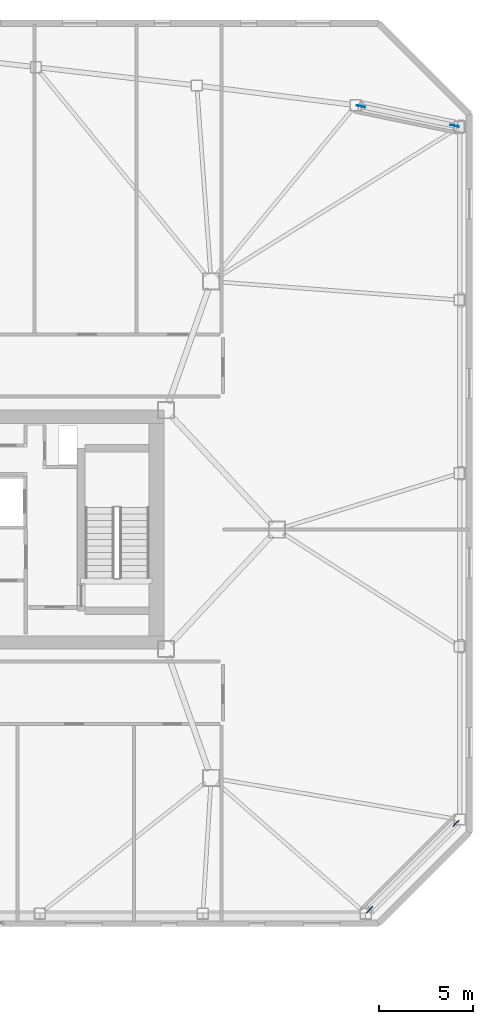
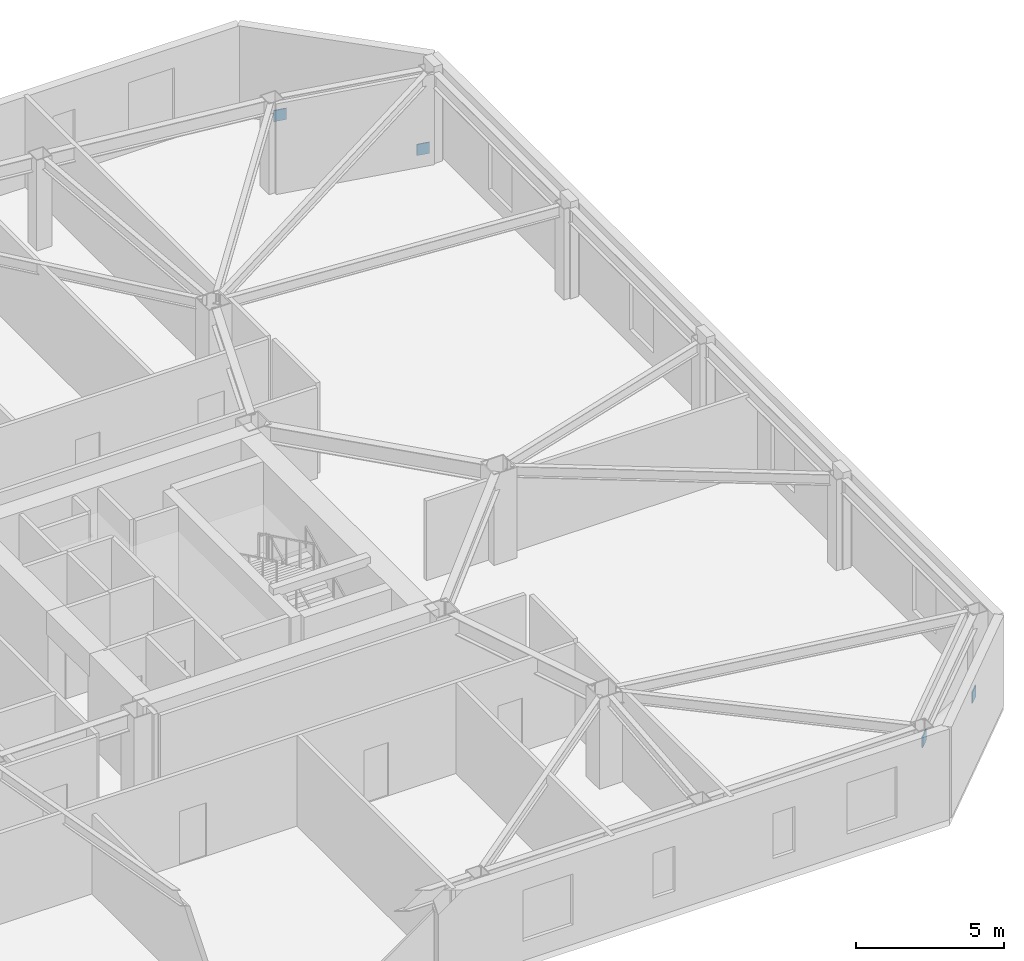
# One storey, part 18 of 19: 4 discrete accessories.
"""IFC4 building model written with IfcOpenShell, lengths in metres."""

from ifc_helpers import new_model, si_unit, direction, frame, origin, origin_2d, place, context, subcontext, project, spatial, rectangle, extrude, material, type_object, element, save


model = new_model("IFC4")

# Units and contexts
model_context = context("Model", 3, precision=1e-05, world=origin(), true_north=direction((0.0, 1.0)))
body_context = subcontext(model_context, "Body", "Model", "MODEL_VIEW")
ifc_project = project(units=[si_unit("LENGTHUNIT", "METRE"), si_unit("AREAUNIT", "SQUARE_METRE"), si_unit("VOLUMEUNIT", "CUBIC_METRE"), si_unit("PLANEANGLEUNIT", "RADIAN"), si_unit("MASSUNIT", "GRAM", prefix="KILO")], contexts=[model_context])

# Site, building, storey
site_placement = place(None, origin())
site = spatial("IfcSite", under=ifc_project, at=site_placement, CompositionType="ELEMENT")
building_placement = place(site_placement, origin())
building = spatial("IfcBuilding", under=site, at=building_placement, Name="Tavrogorsk Clinical Tower", CompositionType="ELEMENT")
storey_placement = place(building_placement, frame((0.0, 0.0, 156.199951171875)))
storey = spatial("IfcBuildingStorey", under=building, at=storey_placement, Name="L35", CompositionType="ELEMENT", Elevation=156.199951171875)

# Discrete accessories
ifc_material = material(Name="Structural steel S440", Category="steel")
discrete_accessory_type = type_object("IfcDiscreteAccessoryType", Name="GussetPlateBracket_25", PredefinedType="BRACKET", material=ifc_material)
for number, where, z_axis, x_axis, name in (
    (1, (37.517333984375, -15.62255859375, 0.18310546875), (0.0, 0.0, 1.0), (-0.707106781187, -0.707106781187, 0.0), "L35 Brace Gusset Plate EXOCRN-L35-1-A"),
    (2, (32.922607421875, -20.217529296875, 2.7470703125), (0.0, 0.0, 1.0), (-0.707106781187, -0.707106781187, 0.0), "L35 Brace Gusset Plate EXOCRN-L35-1-B"),
    (3, (37.44970703125, 21.47607421875, 0.20654296875), (0.0, 0.0, 1.0), (-0.979187402648, 0.202958198889, 0.0), "L35 Brace Gusset Plate EXOCRN-L35-2-A"),
    (4, (32.461669921875, 22.509765625, 2.7236328125), (0.0, 0.0, 1.0), (-0.979187402648, 0.202958198889, 0.0), "L35 Brace Gusset Plate EXOCRN-L35-2-B"),
):
    element("IfcDiscreteAccessory", number, at=place(storey_placement, frame(where, z_axis=z_axis, x_axis=x_axis)), inside=storey, type_object=discrete_accessory_type, Name=name, PredefinedType="BRACKET", context=body_context, shape_type="SweptSolid", body=[
        extrude(rectangle(XDim=0.4599609375, YDim=0.0400390625, at=origin_2d()), origin(), (0.0, 0.0, 1.0), 0.4599609375),
    ])

save(model, "model.ifc")
